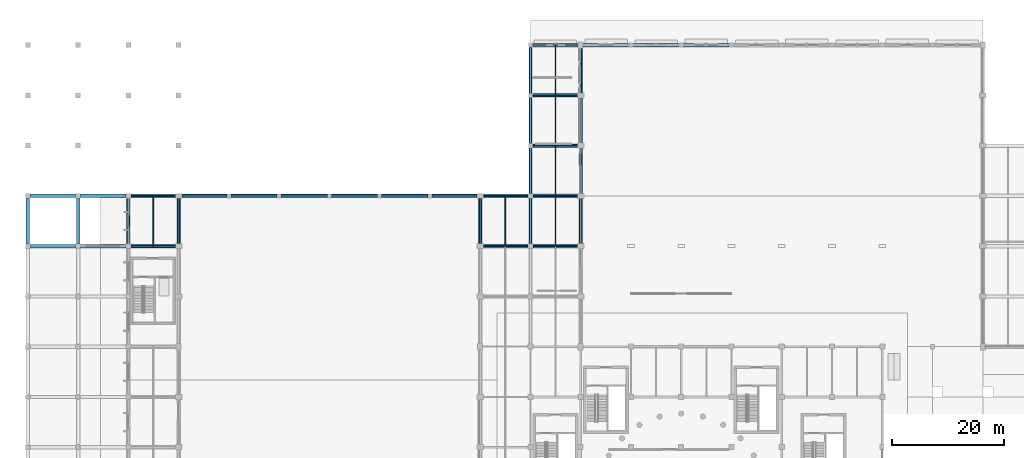
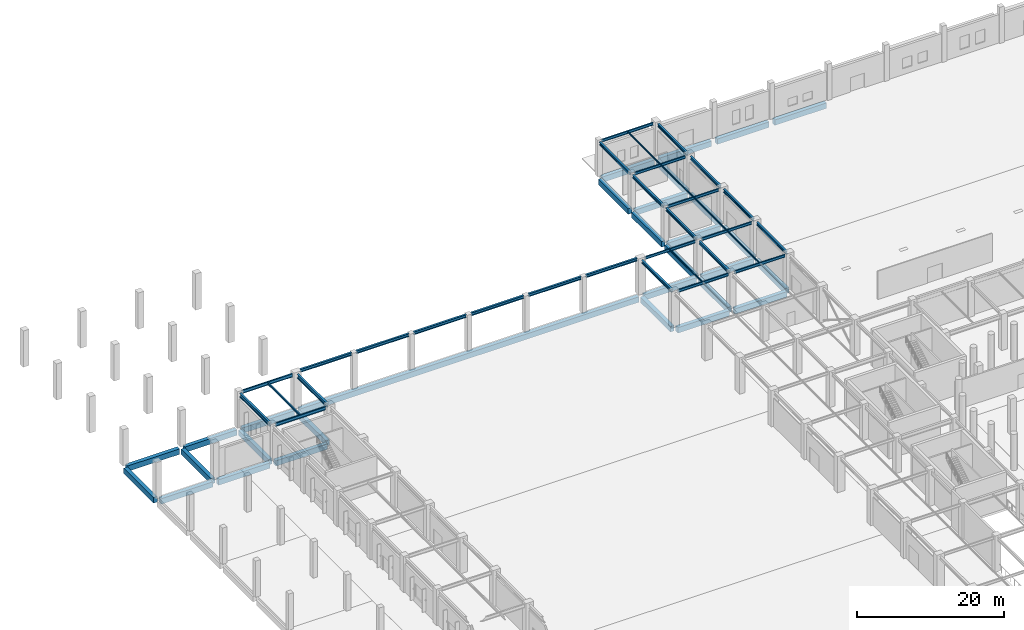
# One storey, part 40 of 91: 62 beams.
"""IFC4 building model written with IfcOpenShell, lengths in metres."""

from ifc_helpers import new_model, si_unit, direction, frame, origin, origin_2d, place, context, subcontext, project, spatial, rectangle, i_section, extrude, material, material_profile, profile_set, type_object, element, save


model = new_model("IFC4")

# Units and contexts
model_context = context("Model", 3, precision=1e-05, world=origin(), true_north=direction((0.0, 1.0)))
body_context = subcontext(model_context, "Body", "Model", "MODEL_VIEW")
ifc_project = project(units=[si_unit("LENGTHUNIT", "METRE"), si_unit("AREAUNIT", "SQUARE_METRE"), si_unit("VOLUMEUNIT", "CUBIC_METRE"), si_unit("PLANEANGLEUNIT", "RADIAN"), si_unit("MASSUNIT", "GRAM", prefix="KILO")], contexts=[model_context])

# Site, building, storey
site_placement = place(None, origin())
site = spatial("IfcSite", under=ifc_project, at=site_placement, CompositionType="ELEMENT")
building_placement = place(site_placement, origin())
building = spatial("IfcBuilding", under=site, at=building_placement, Name="Dornveld Trade and Exhibition Forum", CompositionType="ELEMENT")
storey_placement = place(building_placement, origin())
storey = spatial("IfcBuildingStorey", under=building, at=storey_placement, Name="L00", CompositionType="ELEMENT", Elevation=0.0)

# Beams
ifc_material_1 = material(Name="Concrete C40/50", Category="concrete")
ifc_material_profile_1 = material_profile(ifc_material_1, rectangle(XDim=0.60009765625, YDim=0.89990234375, at=origin_2d()), Name="RC-GB 600x900")
ifc_profile_set_1 = profile_set([ifc_material_profile_1], Name="Concrete C40/50")
beam_type_1 = type_object("IfcBeamType", Name="BM-GB-600x900", PredefinedType="BEAM", material=ifc_profile_set_1)
for number, where, z_axis, x_axis, name in (
    (1, (0.446044921875, 126.0, -0.830078125), (1.0, 0.0, 0.0), (0.0, 1.0, 0.0), "L00 X-girder 410"),
    (2, (9.446044921875, 126.0, -0.830078125), (1.0, 0.0, 0.0), (0.0, 1.0, 0.0), "L00 X-girder 411"),
    (3, (18.446044921875, 126.0, -0.830078125), (1.0, 0.0, 0.0), (0.0, 1.0, 0.0), "L00 X-girder 412"),
    (4, (81.446044921875, 126.0, -0.830078125), (1.0, 0.0, 0.0), (0.0, 1.0, 0.0), "L00 X-girder 413"),
    (5, (0.446044921875, 135.0, -0.830078125), (1.0, 0.0, 0.0), (0.0, 1.0, 0.0), "L00 X-girder 414"),
    (6, (9.446044921875, 135.0, -0.830078125), (1.0, 0.0, 0.0), (0.0, 1.0, 0.0), "L00 X-girder 415"),
    (7, (18.446044921875, 135.0, -0.830078125), (1.0, 0.0, 0.0), (0.0, 1.0, 0.0), "L00 X-girder 416"),
):
    element("IfcBeam", number, at=place(storey_placement, frame(where, z_axis=z_axis, x_axis=x_axis)), inside=storey, type_object=beam_type_1, Name=name, PredefinedType="BEAM", context=body_context, shape_type="SweptSolid", body=[
        extrude(rectangle(XDim=0.60009765625, YDim=0.89990234375, at=origin_2d()), origin(), (0.0, 0.0, 1.0), 8.10791015625),
    ])
beam_1_placement = place(storey_placement, frame((27.446044921875, 135.0, -0.830078125), z_axis=(1.0, 0.0, 0.0), x_axis=(0.0, 1.0, 0.0)))
element("IfcBeam", 8, at=beam_1_placement, inside=storey, type_object=beam_type_1, Name="L00 X-girder 417", PredefinedType="BEAM", context=body_context, shape_type="SweptSolid", body=[
    extrude(rectangle(XDim=0.60009765625, YDim=0.89990234375, at=origin_2d()), origin(), (0.0, 0.0, 1.0), 53.10791015625),
])
for number, where, z_axis, x_axis, name in (
    (9, (81.446044921875, 135.0, -0.830078125), (1.0, 0.0, 0.0), (0.0, 1.0, 0.0), "L00 X-girder 418"),
    (10, (0.0, 126.446044921875, -0.830078125), (0.0, 1.0, 0.0), (-1.0, 0.0, 0.0), "L00 Y-girder 429"),
    (11, (9.0, 126.446044921875, -0.830078125), (0.0, 1.0, 0.0), (-1.0, 0.0, 0.0), "L00 Y-girder 440"),
    (12, (18.0, 126.446044921875, -0.830078125), (0.0, 1.0, 0.0), (-1.0, 0.0, 0.0), "L00 Y-girder 451"),
    (13, (27.0, 126.446044921875, -0.830078125), (0.0, 1.0, 0.0), (-1.0, 0.0, 0.0), "L00 Y-girder 462"),
    (14, (81.0, 126.446044921875, -0.830078125), (0.0, 1.0, 0.0), (-1.0, 0.0, 0.0), "L00 Y-girder 473"),
    (15, (90.0, 126.446044921875, -0.830078125), (0.0, 1.0, 0.0), (-1.0, 0.0, 0.0), "L00 Y-girder 484"),
    (16, (90.446044921875, 126.0, -0.830078125), (1.0, 0.0, 0.0), (0.0, 1.0, 0.0), "L00 X-girder 495"),
    (17, (90.446044921875, 135.0, -0.830078125), (1.0, 0.0, 0.0), (0.0, 1.0, 0.0), "L00 X-girder 496"),
    (18, (90.446044921875, 144.0, -0.830078125), (1.0, 0.0, 0.0), (0.0, 1.0, 0.0), "L00 X-girder 497"),
    (19, (90.446044921875, 153.0, -0.830078125), (1.0, 0.0, 0.0), (0.0, 1.0, 0.0), "L00 X-girder 498"),
    (20, (90.446044921875, 162.0, -0.830078125), (1.0, 0.0, 0.0), (0.0, 1.0, 0.0), "L00 X-girder 499"),
    (21, (99.446044921875, 162.0, -0.830078125), (1.0, 0.0, 0.0), (0.0, 1.0, 0.0), "L00 X-girder 500"),
    (22, (108.446044921875, 162.0, -0.830078125), (1.0, 0.0, 0.0), (0.0, 1.0, 0.0), "L00 X-girder 501"),
    (23, (117.446044921875, 162.0, -0.830078125), (1.0, 0.0, 0.0), (0.0, 1.0, 0.0), "L00 X-girder 502"),
    (24, (90.0, 135.446044921875, -0.830078125), (0.0, 1.0, 0.0), (-1.0, 0.0, 0.0), "L00 Y-girder 508"),
    (25, (90.0, 144.446044921875, -0.830078125), (0.0, 1.0, 0.0), (-1.0, 0.0, 0.0), "L00 Y-girder 509"),
    (26, (90.0, 153.446044921875, -0.830078125), (0.0, 1.0, 0.0), (-1.0, 0.0, 0.0), "L00 Y-girder 510"),
    (27, (99.0, 126.446044921875, -0.830078125), (0.0, 1.0, 0.0), (-1.0, 0.0, 0.0), "L00 Y-girder 513"),
    (28, (99.0, 135.446044921875, -0.830078125), (0.0, 1.0, 0.0), (-1.0, 0.0, 0.0), "L00 Y-girder 514"),
    (29, (99.0, 144.446044921875, -0.830078125), (0.0, 1.0, 0.0), (-1.0, 0.0, 0.0), "L00 Y-girder 515"),
    (30, (99.0, 153.446044921875, -0.830078125), (0.0, 1.0, 0.0), (-1.0, 0.0, 0.0), "L00 Y-girder 516"),
):
    element("IfcBeam", number, at=place(storey_placement, frame(where, z_axis=z_axis, x_axis=x_axis)), inside=storey, type_object=beam_type_1, Name=name, PredefinedType="BEAM", context=body_context, shape_type="SweptSolid", body=[
        extrude(rectangle(XDim=0.60009765625, YDim=0.89990234375, at=origin_2d()), origin(), (0.0, 0.0, 1.0), 8.10791015625),
    ])
ifc_material_2 = material(Name="Steel S355J2", Category="steel")
ifc_material_profile_2 = material_profile(ifc_material_2, i_section(OverallWidth=0.300048828125, OverallDepth=0.5, WebThickness=0.014404296875, FlangeThickness=0.028076171875, FilletRadius=0.027099609375, at=origin_2d()), Name="HEB 500")
ifc_profile_set_2 = profile_set([ifc_material_profile_2], Name="Steel S355J2")
beam_type_2 = type_object("IfcBeamType", Name="BM-GIR-HEB500", PredefinedType="USERDEFINED", material=ifc_profile_set_2)
beam_2_placement = place(storey_placement, frame((90.0, 126.446044921875, 5.449951171875), z_axis=(0.0, 1.0, 0.0), x_axis=(-1.0, 0.0, 0.0)))
element("IfcBeam", 31, at=beam_2_placement, inside=storey, type_object=beam_type_2, Name="L00 Y-girder 783", ObjectType="GIRDER", PredefinedType="USERDEFINED", context=body_context, shape_type="SweptSolid", body=[
    extrude(i_section(OverallWidth=0.300048828125, OverallDepth=0.5, WebThickness=0.014404296875, FlangeThickness=0.028076171875, FilletRadius=0.027099609375, at=origin_2d()), origin(), (0.0, 0.0, 1.0), 8.10791015625),
])
beam_3_placement = place(storey_placement, frame((90.0, 135.446044921875, 5.449951171875), z_axis=(0.0, 1.0, 0.0), x_axis=(-1.0, 0.0, 0.0)))
element("IfcBeam", 32, at=beam_3_placement, inside=storey, type_object=beam_type_2, Name="L00 Y-girder 784", ObjectType="GIRDER", PredefinedType="USERDEFINED", context=body_context, shape_type="SweptSolid", body=[
    extrude(i_section(OverallWidth=0.300048828125, OverallDepth=0.5, WebThickness=0.014404296875, FlangeThickness=0.028076171875, FilletRadius=0.027099609375, at=origin_2d()), origin(), (0.0, 0.0, 1.0), 8.182861328125),
])
for number, where, z_axis, x_axis, name in (
    (33, (90.0, 144.37109375, 5.449951171875), (0.0, 1.0, 0.0), (-1.0, 0.0, 0.0), "L00 Y-girder 785"),
    (34, (90.0, 153.37109375, 5.449951171875), (0.0, 1.0, 0.0), (-1.0, 0.0, 0.0), "L00 Y-girder 786"),
):
    element("IfcBeam", number, at=place(storey_placement, frame(where, z_axis=z_axis, x_axis=x_axis)), inside=storey, type_object=beam_type_2, Name=name, ObjectType="GIRDER", PredefinedType="USERDEFINED", context=body_context, shape_type="SweptSolid", body=[
        extrude(i_section(OverallWidth=0.300048828125, OverallDepth=0.5, WebThickness=0.014404296875, FlangeThickness=0.028076171875, FilletRadius=0.027099609375, at=origin_2d()), origin(), (0.0, 0.0, 1.0), 8.2578125),
    ])
for number, where, z_axis, x_axis, name in (
    (35, (99.0, 126.446044921875, 5.449951171875), (0.0, 1.0, 0.0), (-1.0, 0.0, 0.0), "L00 Y-girder 789"),
    (36, (99.0, 135.446044921875, 5.449951171875), (0.0, 1.0, 0.0), (-1.0, 0.0, 0.0), "L00 Y-girder 790"),
    (37, (99.0, 144.446044921875, 5.449951171875), (0.0, 1.0, 0.0), (-1.0, 0.0, 0.0), "L00 Y-girder 791"),
):
    element("IfcBeam", number, at=place(storey_placement, frame(where, z_axis=z_axis, x_axis=x_axis)), inside=storey, type_object=beam_type_2, Name=name, ObjectType="GIRDER", PredefinedType="USERDEFINED", context=body_context, shape_type="SweptSolid", body=[
        extrude(i_section(OverallWidth=0.300048828125, OverallDepth=0.5, WebThickness=0.014404296875, FlangeThickness=0.028076171875, FilletRadius=0.027099609375, at=origin_2d()), origin(), (0.0, 0.0, 1.0), 8.10791015625),
    ])
beam_4_placement = place(storey_placement, frame((99.0, 153.446044921875, 5.449951171875), z_axis=(0.0, 1.0, 0.0), x_axis=(-1.0, 0.0, 0.0)))
element("IfcBeam", 38, at=beam_4_placement, inside=storey, type_object=beam_type_2, Name="L00 Y-girder 792", ObjectType="GIRDER", PredefinedType="USERDEFINED", context=body_context, shape_type="SweptSolid", body=[
    extrude(i_section(OverallWidth=0.300048828125, OverallDepth=0.5, WebThickness=0.014404296875, FlangeThickness=0.028076171875, FilletRadius=0.027099609375, at=origin_2d()), origin(), (0.0, 0.0, 1.0), 7.9580078125),
])
beam_5_placement = place(storey_placement, frame((81.0, 126.446044921875, 5.449951171875), z_axis=(0.0, 1.0, 0.0), x_axis=(-1.0, 0.0, 0.0)))
element("IfcBeam", 39, at=beam_5_placement, inside=storey, type_object=beam_type_2, Name="L00 Y-girder 858", ObjectType="GIRDER", PredefinedType="USERDEFINED", context=body_context, shape_type="SweptSolid", body=[
    extrude(i_section(OverallWidth=0.300048828125, OverallDepth=0.5, WebThickness=0.014404296875, FlangeThickness=0.028076171875, FilletRadius=0.027099609375, at=origin_2d()), origin(), (0.0, 0.0, 1.0), 8.10791015625),
])
beam_6_placement = place(storey_placement, frame((27.595947265625, 135.0, 5.75), z_axis=(1.0, 0.0, 0.0), x_axis=(0.0, 1.0, 0.0)))
element("IfcBeam", 40, at=beam_6_placement, inside=storey, type_object=beam_type_2, Name="L00 X-girder 1435", ObjectType="GIRDER", PredefinedType="USERDEFINED", context=body_context, shape_type="SweptSolid", body=[
    extrude(i_section(OverallWidth=0.300048828125, OverallDepth=0.5, WebThickness=0.014404296875, FlangeThickness=0.028076171875, FilletRadius=0.027099609375, at=origin_2d()), origin(), (0.0, 0.0, 1.0), 8.032958984375),
])
for number, where, z_axis, x_axis, name in (
    (41, (36.37109375, 135.0, 5.75), (1.0, 0.0, 0.0), (0.0, 1.0, 0.0), "L00 X-girder 1436"),
    (42, (45.37109375, 135.0, 5.75), (1.0, 0.0, 0.0), (0.0, 1.0, 0.0), "L00 X-girder 1437"),
    (43, (54.37109375, 135.0, 5.75), (1.0, 0.0, 0.0), (0.0, 1.0, 0.0), "L00 X-girder 1438"),
    (44, (63.37109375, 135.0, 5.75), (1.0, 0.0, 0.0), (0.0, 1.0, 0.0), "L00 X-girder 1439"),
):
    element("IfcBeam", number, at=place(storey_placement, frame(where, z_axis=z_axis, x_axis=x_axis)), inside=storey, type_object=beam_type_2, Name=name, ObjectType="GIRDER", PredefinedType="USERDEFINED", context=body_context, shape_type="SweptSolid", body=[
        extrude(i_section(OverallWidth=0.300048828125, OverallDepth=0.5, WebThickness=0.014404296875, FlangeThickness=0.028076171875, FilletRadius=0.027099609375, at=origin_2d()), origin(), (0.0, 0.0, 1.0), 8.2578125),
    ])
beam_7_placement = place(storey_placement, frame((72.37109375, 135.0, 5.75), z_axis=(1.0, 0.0, 0.0), x_axis=(0.0, 1.0, 0.0)))
element("IfcBeam", 45, at=beam_7_placement, inside=storey, type_object=beam_type_2, Name="L00 X-girder 1440", ObjectType="GIRDER", PredefinedType="USERDEFINED", context=body_context, shape_type="SweptSolid", body=[
    extrude(i_section(OverallWidth=0.300048828125, OverallDepth=0.5, WebThickness=0.014404296875, FlangeThickness=0.028076171875, FilletRadius=0.027099609375, at=origin_2d()), origin(), (0.0, 0.0, 1.0), 8.032958984375),
])
ifc_material_3 = material(Name="Steel S355J2", Category="steel")
ifc_material_profile_3 = material_profile(ifc_material_3, i_section(OverallWidth=0.300048828125, OverallDepth=0.64990234375, WebThickness=0.01611328125, FlangeThickness=0.031005859375, FilletRadius=0.027099609375, at=origin_2d()), Name="HEB 650")
ifc_profile_set_3 = profile_set([ifc_material_profile_3], Name="Steel S355J2")
beam_type_3 = type_object("IfcBeamType", Name="BM-GIR-HEB650", PredefinedType="USERDEFINED", material=ifc_profile_set_3)
for number, where, z_axis, x_axis, name in (
    (46, (18.0, 126.446044921875, 5.375), (0.0, 1.0, 0.0), (-1.0, 0.0, 0.0), "L00 Y-girder 818"),
    (47, (27.0, 126.446044921875, 5.375), (0.0, 1.0, 0.0), (-1.0, 0.0, 0.0), "L00 Y-girder 829"),
):
    element("IfcBeam", number, at=place(storey_placement, frame(where, z_axis=z_axis, x_axis=x_axis)), inside=storey, type_object=beam_type_3, Name=name, ObjectType="GIRDER", PredefinedType="USERDEFINED", context=body_context, shape_type="SweptSolid", body=[
        extrude(i_section(OverallWidth=0.300048828125, OverallDepth=0.64990234375, WebThickness=0.01611328125, FlangeThickness=0.031005859375, FilletRadius=0.027099609375, at=origin_2d()), origin(), (0.0, 0.0, 1.0), 8.10791015625),
    ])
ifc_material_4 = material(Name="Steel S355J2", Category="steel")
ifc_material_profile_4 = material_profile(ifc_material_4, i_section(OverallWidth=0.1201171875, OverallDepth=0.239990234375, WebThickness=0.006103515625, FlangeThickness=0.009765625, FilletRadius=0.014892578125, at=origin_2d()), Name="IPE 240")
ifc_profile_set_4 = profile_set([ifc_material_profile_4], Name="Steel S355J2")
beam_type_4 = type_object("IfcBeamType", Name="BM-JOIST-240", PredefinedType="JOIST", material=ifc_profile_set_4)
for number, where, z_axis, x_axis, name in (
    (48, (94.5, 126.092041015625, 5.580078125), (0.0, 1.0, 0.0), (-1.0, 0.0, 0.0), "L00 secondary joist 795"),
    (49, (94.5, 135.092041015625, 5.580078125), (0.0, 1.0, 0.0), (-1.0, 0.0, 0.0), "L00 secondary joist 796"),
    (50, (94.5, 144.092041015625, 5.580078125), (0.0, 1.0, 0.0), (-1.0, 0.0, 0.0), "L00 secondary joist 797"),
    (51, (94.5, 153.092041015625, 5.580078125), (0.0, 1.0, 0.0), (-1.0, 0.0, 0.0), "L00 secondary joist 798"),
    (52, (85.5, 126.092041015625, 5.580078125), (0.0, 1.0, 0.0), (-1.0, 0.0, 0.0), "L00 secondary joist 877"),
):
    element("IfcBeam", number, at=place(storey_placement, frame(where, z_axis=z_axis, x_axis=x_axis)), inside=storey, type_object=beam_type_4, Name=name, PredefinedType="JOIST", context=body_context, shape_type="SweptSolid", body=[
        extrude(i_section(OverallWidth=0.1201171875, OverallDepth=0.239990234375, WebThickness=0.006103515625, FlangeThickness=0.009765625, FilletRadius=0.014892578125, at=origin_2d()), origin(), (0.0, 0.0, 1.0), 8.81591796875),
    ])
ifc_material_5 = material(Name="Steel S355J2", Category="steel")
ifc_material_profile_5 = material_profile(ifc_material_5, i_section(OverallWidth=0.169921875, OverallDepth=0.360107421875, WebThickness=0.008056640625, FlangeThickness=0.0126953125, FilletRadius=0.01806640625, at=origin_2d()), Name="IPE 360")
ifc_profile_set_5 = profile_set([ifc_material_profile_5], Name="Steel S355J2")
beam_type_5 = type_object("IfcBeamType", Name="BM-JOIST-360", PredefinedType="JOIST", material=ifc_profile_set_5)
beam_8_placement = place(storey_placement, frame((22.5, 126.10205078125, 5.52001953125), z_axis=(0.0, 1.0, 0.0), x_axis=(-1.0, 0.0, 0.0)))
element("IfcBeam", 53, at=beam_8_placement, inside=storey, type_object=beam_type_5, Name="L00 secondary joist 835", PredefinedType="JOIST", context=body_context, shape_type="SweptSolid", body=[
    extrude(i_section(OverallWidth=0.169921875, OverallDepth=0.360107421875, WebThickness=0.008056640625, FlangeThickness=0.0126953125, FilletRadius=0.01806640625, at=origin_2d()), origin(), (0.0, 0.0, 1.0), 8.7958984375),
])
ifc_material_6 = material(Name="Steel S355J2", Category="steel")
ifc_material_profile_6 = material_profile(ifc_material_6, i_section(OverallWidth=0.18994140625, OverallDepth=0.449951171875, WebThickness=0.009521484375, FlangeThickness=0.0146484375, FilletRadius=0.02099609375, at=origin_2d()), Name="IPE 450")
ifc_profile_set_6 = profile_set([ifc_material_profile_6], Name="Steel S355J2")
beam_type_6 = type_object("IfcBeamType", Name="BM-SEC-450", PredefinedType="BEAM", material=ifc_profile_set_6)
for number, where, z_axis, x_axis, name in (
    (54, (90.446044921875, 126.0, 5.47509765625), (1.0, 0.0, 0.0), (0.0, 1.0, 0.0), "L00 X-girder 776"),
    (55, (90.446044921875, 135.0, 5.47509765625), (1.0, 0.0, 0.0), (0.0, 1.0, 0.0), "L00 X-girder 777"),
):
    element("IfcBeam", number, at=place(storey_placement, frame(where, z_axis=z_axis, x_axis=x_axis)), inside=storey, type_object=beam_type_6, Name=name, PredefinedType="BEAM", context=body_context, shape_type="SweptSolid", body=[
        extrude(i_section(OverallWidth=0.18994140625, OverallDepth=0.449951171875, WebThickness=0.009521484375, FlangeThickness=0.0146484375, FilletRadius=0.02099609375, at=origin_2d()), origin(), (0.0, 0.0, 1.0), 7.9580078125),
    ])
for number, where, z_axis, x_axis, name in (
    (56, (90.37109375, 144.0, 5.47509765625), (1.0, 0.0, 0.0), (0.0, 1.0, 0.0), "L00 X-girder 778"),
    (57, (90.37109375, 153.0, 5.47509765625), (1.0, 0.0, 0.0), (0.0, 1.0, 0.0), "L00 X-girder 779"),
):
    element("IfcBeam", number, at=place(storey_placement, frame(where, z_axis=z_axis, x_axis=x_axis)), inside=storey, type_object=beam_type_6, Name=name, PredefinedType="BEAM", context=body_context, shape_type="SweptSolid", body=[
        extrude(i_section(OverallWidth=0.18994140625, OverallDepth=0.449951171875, WebThickness=0.009521484375, FlangeThickness=0.0146484375, FilletRadius=0.02099609375, at=origin_2d()), origin(), (0.0, 0.0, 1.0), 8.032958984375),
    ])
beam_9_placement = place(storey_placement, frame((90.37109375, 162.0, 5.47509765625), z_axis=(1.0, 0.0, 0.0), x_axis=(0.0, 1.0, 0.0)))
element("IfcBeam", 58, at=beam_9_placement, inside=storey, type_object=beam_type_6, Name="L00 X-girder 780", PredefinedType="BEAM", context=body_context, shape_type="SweptSolid", body=[
    extrude(i_section(OverallWidth=0.18994140625, OverallDepth=0.449951171875, WebThickness=0.009521484375, FlangeThickness=0.0146484375, FilletRadius=0.02099609375, at=origin_2d()), origin(), (0.0, 0.0, 1.0), 8.182861328125),
])
for number, where, z_axis, x_axis, name in (
    (59, (81.595947265625, 126.0, 5.47509765625), (1.0, 0.0, 0.0), (0.0, 1.0, 0.0), "L00 X-girder 846"),
    (60, (81.595947265625, 135.0, 5.47509765625), (1.0, 0.0, 0.0), (0.0, 1.0, 0.0), "L00 X-girder 847"),
):
    element("IfcBeam", number, at=place(storey_placement, frame(where, z_axis=z_axis, x_axis=x_axis)), inside=storey, type_object=beam_type_6, Name=name, PredefinedType="BEAM", context=body_context, shape_type="SweptSolid", body=[
        extrude(i_section(OverallWidth=0.18994140625, OverallDepth=0.449951171875, WebThickness=0.009521484375, FlangeThickness=0.0146484375, FilletRadius=0.02099609375, at=origin_2d()), origin(), (0.0, 0.0, 1.0), 7.9580078125),
    ])
ifc_material_7 = material(Name="Steel S355J2", Category="steel")
ifc_material_profile_7 = material_profile(ifc_material_7, i_section(OverallWidth=0.2099609375, OverallDepth=0.550048828125, WebThickness=0.010986328125, FlangeThickness=0.01708984375, FilletRadius=0.02392578125, at=origin_2d()), Name="IPE 550")
ifc_profile_set_7 = profile_set([ifc_material_profile_7], Name="Steel S355J2")
beam_type_7 = type_object("IfcBeamType", Name="BM-SEC-550", PredefinedType="BEAM", material=ifc_profile_set_7)
for number, where, z_axis, x_axis, name in (
    (61, (18.446044921875, 126.0, 5.425048828125), (1.0, 0.0, 0.0), (0.0, 1.0, 0.0), "L00 X-girder 806"),
    (62, (18.446044921875, 135.0, 5.425048828125), (1.0, 0.0, 0.0), (0.0, 1.0, 0.0), "L00 X-girder 807"),
):
    element("IfcBeam", number, at=place(storey_placement, frame(where, z_axis=z_axis, x_axis=x_axis)), inside=storey, type_object=beam_type_7, Name=name, PredefinedType="BEAM", context=body_context, shape_type="SweptSolid", body=[
        extrude(i_section(OverallWidth=0.2099609375, OverallDepth=0.550048828125, WebThickness=0.010986328125, FlangeThickness=0.01708984375, FilletRadius=0.02392578125, at=origin_2d()), origin(), (0.0, 0.0, 1.0), 7.9580078125),
    ])

save(model, "model.ifc")
